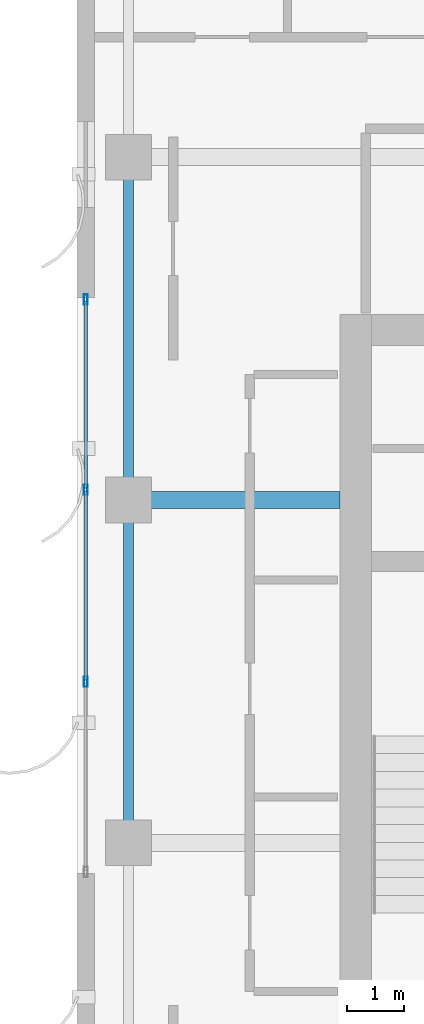
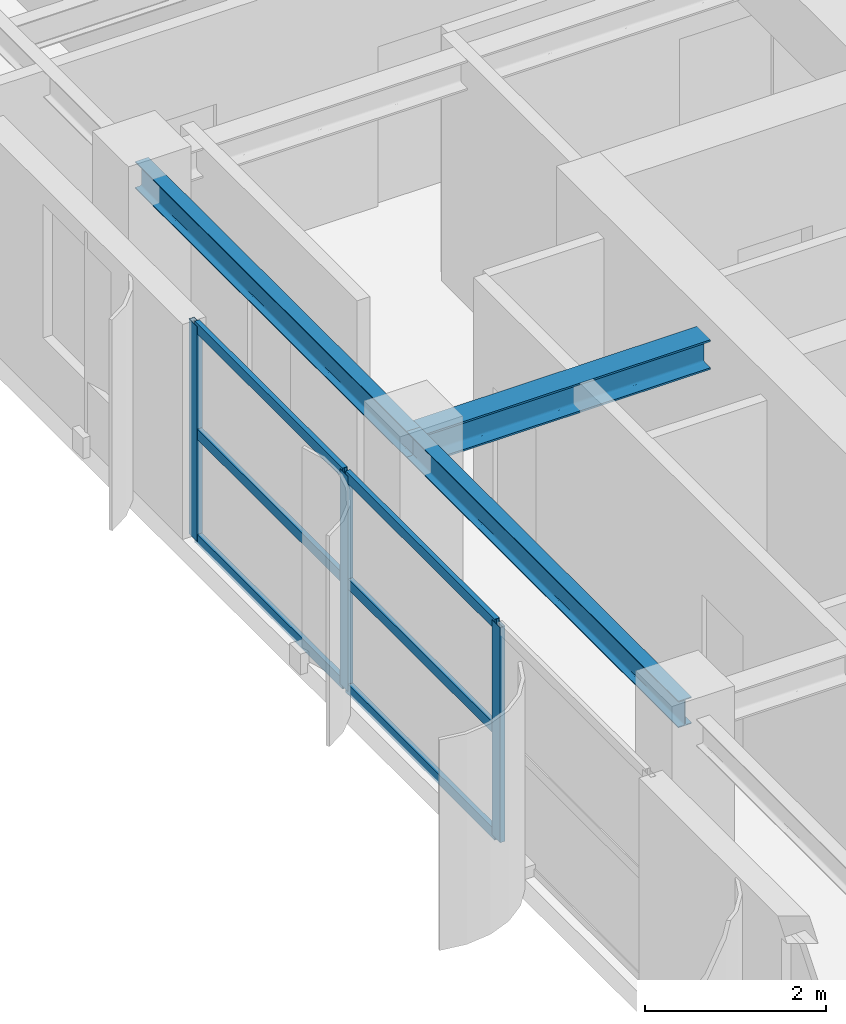
# One storey, part 6 of 19: 9 members, 3 beams, 1 element without a shape of its own.
"""IFC4 building model written with IfcOpenShell, lengths in metres."""

from ifc_helpers import new_model, si_unit, direction, frame, origin, origin_2d, place, context, subcontext, project, spatial, hollow_rectangle, i_section, extrude, source, transform, mapped, material, layer, layer_set, material_profile, profile_set, type_object, element, aggregate, save


model = new_model("IFC4")

# Units and contexts
model_context = context("Model", 3, precision=1e-05, world=origin(), true_north=direction((0.0, 1.0)))
body_context = subcontext(model_context, "Body", "Model", "MODEL_VIEW")
ifc_project = project(units=[si_unit("LENGTHUNIT", "METRE"), si_unit("AREAUNIT", "SQUARE_METRE"), si_unit("VOLUMEUNIT", "CUBIC_METRE"), si_unit("PLANEANGLEUNIT", "RADIAN"), si_unit("MASSUNIT", "GRAM", prefix="KILO")], contexts=[model_context])

# Site, building, storey
site_placement = place(None, origin())
site = spatial("IfcSite", under=ifc_project, at=site_placement, CompositionType="ELEMENT")
building_placement = place(site_placement, origin())
building = spatial("IfcBuilding", under=site, at=building_placement, Name="Khoralis Quay Care Tower", CompositionType="ELEMENT")
storey_placement = place(building_placement, frame((0.0, 0.0, 281.699951171875)))
storey = spatial("IfcBuildingStorey", under=building, at=storey_placement, Name="L74", CompositionType="ELEMENT", Elevation=281.699951171875)

# Beams
ifc_material_1 = material(Name="Steel S355", Category="steel")
ifc_material_profile_1 = material_profile(ifc_material_1, i_section(OverallWidth=0.169921875, OverallDepth=0.360107421875, WebThickness=0.008056640625, FlangeThickness=0.0126953125, FilletRadius=0.01806640625, at=origin_2d()), Name="Steel S355")
ifc_profile_set_1 = profile_set([ifc_material_profile_1], Name="Steel S355")
beam_type_1 = type_object("IfcBeamType", Name="BM-IPE360", PredefinedType="SPANDREL", material=ifc_profile_set_1)
shared_shape_1 = source(origin(), body_context, "Body", "SweptSolid", [
    extrude(i_section(OverallWidth=0.169921875, OverallDepth=0.360107421875, WebThickness=0.008056640625, FlangeThickness=0.0126953125, FilletRadius=0.01806640625, at=origin_2d()), origin(), (0.0, 0.0, 1.0), 6.0),
])
for number, where, z_axis, x_axis, name in (
    (1, (3.89990234375, 18.0, 3.14013671875), (0.0, 1.0, 0.0), (-1.0, 0.0, 0.0), "BM-TSP-L74-10"),
    (2, (3.89990234375, 24.0, 3.14013671875), (0.0, 1.0, 0.0), (-1.0, 0.0, 0.0), "BM-TSP-L74-11"),
):
    element("IfcBeam", number, at=place(storey_placement, frame(where, z_axis=z_axis, x_axis=x_axis)), inside=storey, type_object=beam_type_1, Name=name, PredefinedType="SPANDREL", context=body_context, shape_type="MappedRepresentation", body=[
        mapped(shared_shape_1, transform((0.0, 0.0, 0.0), scale=1.0)),
    ])
ifc_material_profile_2 = material_profile(ifc_material_1, i_section(OverallWidth=0.300048828125, OverallDepth=0.39990234375, WebThickness=0.013427734375, FlangeThickness=0.02392578125, FilletRadius=0.027099609375, at=origin_2d()), Name="Steel S355")
ifc_profile_set_2 = profile_set([ifc_material_profile_2], Name="Steel S355")
beam_type_2 = type_object("IfcBeamType", Name="BM-HEB400", PredefinedType="BEAM", material=ifc_profile_set_2)
shared_shape_2 = source(origin(), body_context, "Body", "SweptSolid", [
    extrude(i_section(OverallWidth=0.300048828125, OverallDepth=0.39990234375, WebThickness=0.013427734375, FlangeThickness=0.02392578125, FilletRadius=0.027099609375, at=origin_2d()), origin(), (0.0, 0.0, 1.0), 3.7021484375),
])
beam_placement = place(storey_placement, frame((3.89990234375, 24.0, 3.1201171875), z_axis=(1.0, 0.0, 0.0), x_axis=(0.0, 1.0, 0.0)))
element("IfcBeam", 3, at=beam_placement, inside=storey, type_object=beam_type_2, Name="BM-TGXW-L74-240", PredefinedType="BEAM", context=body_context, shape_type="MappedRepresentation", body=[
    mapped(shared_shape_2, transform((0.0, 0.0, 0.0), scale=1.0)),
])

# Curtain wall, members
ifc_material_2 = material(Name="Pale anodised aluminium", Category="aluminium")
ifc_layer = layer(ifc_material_2, 0.159912109375)
ifc_layer_set = layer_set([ifc_layer], Name="Pale anodised aluminium")
curtain_wall_type = type_object("IfcCurtainWallType", Name="CW-SYS-Z3", PredefinedType="NOTDEFINED", material=ifc_layer_set)
curtain_wall_placement = place(storey_placement, origin())
curtain_wall = element("IfcCurtainWall", 4, at=curtain_wall_placement, inside=storey, type_object=curtain_wall_type, Name="L74 Unitised Curtain Wall CW-L74-P1-E15", PredefinedType="NOTDEFINED")
ifc_material_profile_3 = material_profile(ifc_material_2, hollow_rectangle(XDim=0.06005859375, YDim=0.139892578125, WallThickness=0.00390625, at=origin_2d()), Name="Pale anodised aluminium")
ifc_profile_set_3 = profile_set([ifc_material_profile_3], Name="Pale anodised aluminium")
member_type_1 = type_object("IfcMemberType", Name="CW-TRN-140", PredefinedType="USERDEFINED", material=ifc_profile_set_3)
shared_shape_3 = source(origin(), body_context, "Body", "SweptSolid", [
    extrude(hollow_rectangle(XDim=0.06005859375, YDim=0.139892578125, WallThickness=0.00390625, at=origin_2d()), origin(), (0.0, 0.0, 1.0), 3.27001953125),
])
member_1_placement = place(storey_placement, frame((3.14990234375, 27.47998046875, 0.030029296875), z_axis=(0.0, -1.0, 0.0), x_axis=(1.0, 0.0, 0.0)))
member_1 = element("IfcMember", 5, at=member_1_placement, type_object=member_type_1, Name="CW3 transom 1.1", ObjectType="TRANSOM", PredefinedType="USERDEFINED", context=body_context, shape_type="MappedRepresentation", body=[
    mapped(shared_shape_3, transform((0.0, 0.0, 0.0), scale=1.0)),
])
member_2_placement = place(storey_placement, frame((3.14990234375, 27.47998046875, 1.449951171875), z_axis=(0.0, -1.0, 0.0), x_axis=(1.0, 0.0, 0.0)))
member_2 = element("IfcMember", 6, at=member_2_placement, type_object=member_type_1, Name="CW3 transom 1.2", ObjectType="TRANSOM", PredefinedType="USERDEFINED", context=body_context, shape_type="MappedRepresentation", body=[
    mapped(shared_shape_3, transform((0.0, 0.0, 0.0), scale=1.0)),
])
member_3_placement = place(storey_placement, frame((3.14990234375, 27.47998046875, 2.8701171875), z_axis=(0.0, -1.0, 0.0), x_axis=(1.0, 0.0, 0.0)))
member_3 = element("IfcMember", 7, at=member_3_placement, type_object=member_type_1, Name="CW3 transom 1.3", ObjectType="TRANSOM", PredefinedType="USERDEFINED", context=body_context, shape_type="MappedRepresentation", body=[
    mapped(shared_shape_3, transform((0.0, 0.0, 0.0), scale=1.0)),
])
shared_shape_4 = source(origin(), body_context, "Body", "SweptSolid", [
    extrude(hollow_rectangle(XDim=0.06005859375, YDim=0.139892578125, WallThickness=0.00390625, at=origin_2d()), origin(), (0.0, 0.0, 1.0), 3.2998046875),
])
member_4_placement = place(storey_placement, frame((3.14990234375, 24.14990234375, 0.030029296875), z_axis=(0.0, -1.0, 0.0), x_axis=(1.0, 0.0, 0.0)))
member_4 = element("IfcMember", 8, at=member_4_placement, type_object=member_type_1, Name="CW3 transom 2.1", ObjectType="TRANSOM", PredefinedType="USERDEFINED", context=body_context, shape_type="MappedRepresentation", body=[
    mapped(shared_shape_4, transform((0.0, 0.0, 0.0), scale=1.0)),
])
member_5_placement = place(storey_placement, frame((3.14990234375, 24.14990234375, 1.449951171875), z_axis=(0.0, -1.0, 0.0), x_axis=(1.0, 0.0, 0.0)))
member_5 = element("IfcMember", 9, at=member_5_placement, type_object=member_type_1, Name="CW3 transom 2.2", ObjectType="TRANSOM", PredefinedType="USERDEFINED", context=body_context, shape_type="MappedRepresentation", body=[
    mapped(shared_shape_4, transform((0.0, 0.0, 0.0), scale=1.0)),
])
member_6_placement = place(storey_placement, frame((3.14990234375, 24.14990234375, 2.8701171875), z_axis=(0.0, -1.0, 0.0), x_axis=(1.0, 0.0, 0.0)))
member_6 = element("IfcMember", 10, at=member_6_placement, type_object=member_type_1, Name="CW3 transom 2.3", ObjectType="TRANSOM", PredefinedType="USERDEFINED", context=body_context, shape_type="MappedRepresentation", body=[
    mapped(shared_shape_4, transform((0.0, 0.0, 0.0), scale=1.0)),
])
ifc_material_profile_4 = material_profile(ifc_material_2, hollow_rectangle(XDim=0.06494140625, YDim=0.179931640625, WallThickness=0.00390625, at=origin_2d()), Name="Pale anodised aluminium")
ifc_profile_set_4 = profile_set([ifc_material_profile_4], Name="Pale anodised aluminium")
member_type_2 = type_object("IfcMemberType", Name="CW-MUL-180", PredefinedType="MULLION", material=ifc_profile_set_4)
shared_shape_5 = source(origin(), body_context, "Body", "SweptSolid", [
    extrude(hollow_rectangle(XDim=0.06494140625, YDim=0.179931640625, WallThickness=0.00390625, at=origin_2d()), origin(), (0.0, 0.0, 1.0), 2.900146484375),
])
member_7_placement = place(storey_placement, frame((3.14990234375, 27.510009765625, 0.0), z_axis=(0.0, 0.0, 1.0), x_axis=(1.0, 0.0, 0.0)))
member_7 = element("IfcMember", 11, at=member_7_placement, type_object=member_type_2, Name="CW3 mullion 1", PredefinedType="MULLION", context=body_context, shape_type="MappedRepresentation", body=[
    mapped(shared_shape_5, transform((0.0, 0.0, 0.0), scale=1.0)),
])
member_8_placement = place(storey_placement, frame((3.14990234375, 24.179931640625, 0.0), z_axis=(0.0, 0.0, 1.0), x_axis=(1.0, 0.0, 0.0)))
member_8 = element("IfcMember", 12, at=member_8_placement, type_object=member_type_2, Name="CW3 mullion 2", PredefinedType="MULLION", context=body_context, shape_type="MappedRepresentation", body=[
    mapped(shared_shape_5, transform((0.0, 0.0, 0.0), scale=1.0)),
])
member_9_placement = place(storey_placement, frame((3.14990234375, 20.820068359375, 0.0), z_axis=(0.0, 0.0, 1.0), x_axis=(1.0, 0.0, 0.0)))
member_9 = element("IfcMember", 13, at=member_9_placement, type_object=member_type_2, Name="CW3 mullion 3", PredefinedType="MULLION", context=body_context, shape_type="MappedRepresentation", body=[
    mapped(shared_shape_5, transform((0.0, 0.0, 0.0), scale=1.0)),
])
aggregate(curtain_wall, [member_7, member_8, member_9, member_1, member_2, member_3, member_4, member_5, member_6])

save(model, "model.ifc")
